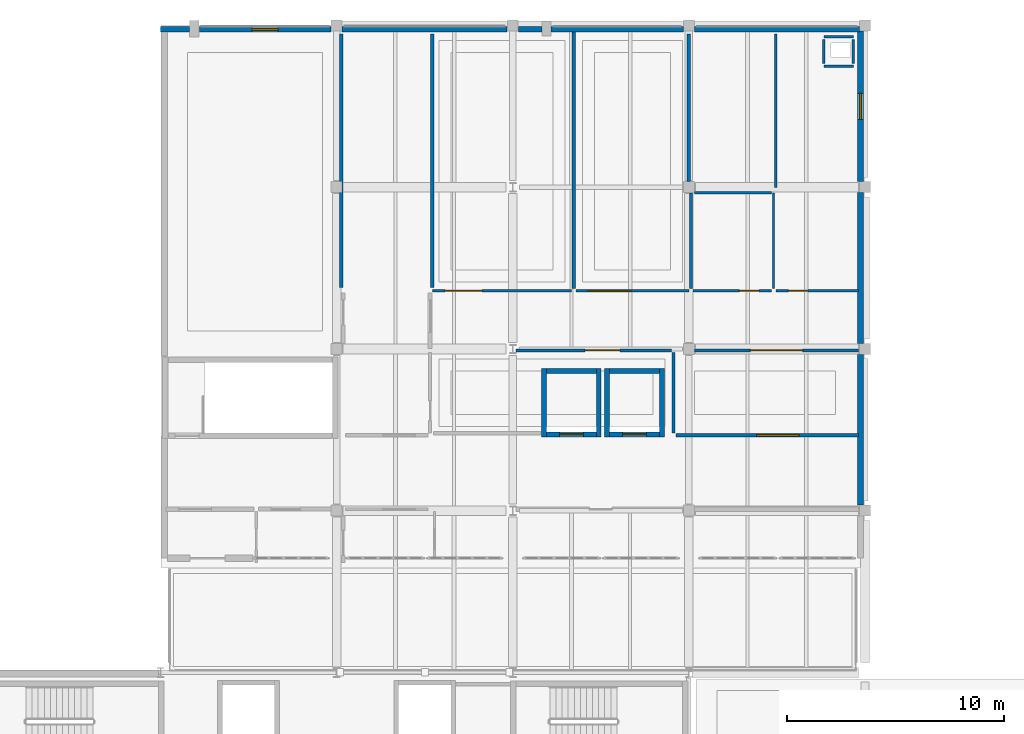
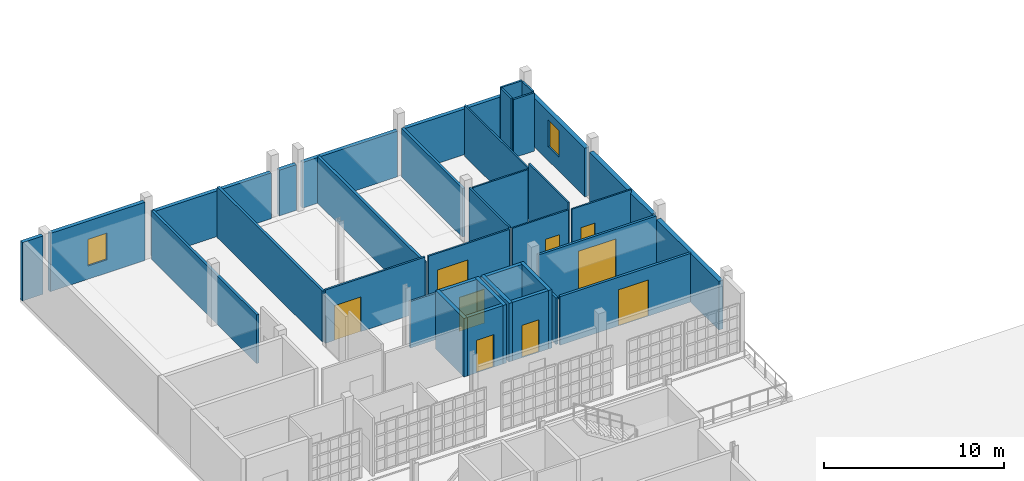
# One storey, part 20 of 25: 37 walls, 9 doors, 2 windows, 11 openings.
"""IFC4 building model written with IfcOpenShell, lengths in metres."""

from ifc_helpers import new_model, si_unit, direction, frame, frame_2d, origin, place, context, subcontext, project, spatial, rectangle, extrude, material, layer, layer_set, type_object, element, fill, save


model = new_model("IFC4")

# Units and contexts
model_context = context("Model", 3, precision=1e-05, world=origin(), true_north=direction((0.0, 1.0)))
body_context = subcontext(model_context, "Body", "Model", "MODEL_VIEW")
ifc_project = project(units=[si_unit("LENGTHUNIT", "METRE"), si_unit("AREAUNIT", "SQUARE_METRE"), si_unit("VOLUMEUNIT", "CUBIC_METRE"), si_unit("PLANEANGLEUNIT", "RADIAN"), si_unit("MASSUNIT", "GRAM", prefix="KILO")], contexts=[model_context])

# Site, building, storey
site_placement = place(None, origin())
site = spatial("IfcSite", under=ifc_project, at=site_placement, CompositionType="ELEMENT")
building_placement = place(site_placement, origin())
building = spatial("IfcBuilding", under=site, at=building_placement, Name="Kaelora Sail Theatre", CompositionType="ELEMENT")
storey_placement = place(building_placement, frame((0.0, 0.0, 19.199951171875)))
storey = spatial("IfcBuildingStorey", under=building, at=storey_placement, Name="L04", CompositionType="ELEMENT", Elevation=19.199951171875)

# Wall, opening, window
ifc_material_1 = material(Name="Precast concrete C45/55", Category="concrete")
ifc_layer_1 = layer(ifc_material_1, 0.239990234375)
ifc_layer_set_1 = layer_set([ifc_layer_1], Name="Precast concrete C45/55")
wall_type_1 = type_object("IfcWallType", Name="ARC-WL-EW-240", PredefinedType="SOLIDWALL", material=ifc_layer_set_1)
wall_1_placement = place(storey_placement, frame((35.679931640625, 112.919921875, 0.0), z_axis=(0.0, 0.0, 1.0), x_axis=(1.0, 0.0, 0.0)))
wall_1 = element("IfcWall", 1, at=wall_1_placement, inside=storey, type_object=wall_type_1, Name="North Conservatory/Production Facade Wall L04 B05", PredefinedType="SOLIDWALL", context=body_context, shape_type="SweptSolid", body=[
    extrude(rectangle(XDim=6.065185546875, YDim=0.239990234375, at=frame_2d((3.03271484375, 0.0))), origin(), (0.0, 0.0, 1.0), 3.945068359375),
])
opening_1_placement = place(wall_1_placement, frame((2.431884765625, 0.0, 0.89990234375)))
opening_1 = element("IfcOpeningElement", 2, at=opening_1_placement, cuts=wall_1, Name="Opening W-05", PredefinedType="OPENING", context=body_context, shape_type="SweptSolid", body=[
    extrude(rectangle(XDim=1.199951171875, YDim=1.800048828125, at=frame_2d((0.60009765625, 0.89990234375))), frame((0.0, 0.130117, 0.0), z_axis=(0.0, -1.0, 0.0), x_axis=(1.0, 0.0, 0.0)), (0.0, 0.0, 1.0), 0.25999),
])
ifc_material_2 = material(Name="Thermally broken aluminium and low-E double glazing", Category="aluminium")
window_type = type_object("IfcWindowType", Name="ARC-WIN-W-05", PartitioningType="SINGLE_PANEL", PredefinedType="WINDOW", material=ifc_material_2)
window_1_placement = place(opening_1_placement, origin())
window_1 = element("IfcWindow", 3, at=window_1_placement, inside=storey, type_object=window_type, Name="North facade window L04 B05", OverallHeight=1.800048828125, OverallWidth=1.199951171875, PartitioningType="SINGLE_PANEL", PredefinedType="WINDOW", context=body_context, shape_type="SweptSolid", body=[
    extrude(rectangle(XDim=1.199951171875, YDim=1.800048828125, at=frame_2d((0.60009765625, 0.89990234375))), frame((0.0, 0.030029296875, 0.0), z_axis=(0.0, -1.0, 0.0), x_axis=(1.0, 0.0, 0.0)), (0.0, 0.0, 1.0), 0.06005859375),
])
fill(opening_1, window_1)

# Walls
wall_2_placement = place(storey_placement, frame((33.89990234375, 112.919921875, 0.0), z_axis=(0.0, 0.0, 1.0), x_axis=(1.0, 0.0, 0.0)))
element("IfcWall", 4, at=wall_2_placement, inside=storey, type_object=wall_type_1, Name="North Facade Pilaster Spandrel Pier L04 B05", PredefinedType="SOLIDWALL", context=body_context, shape_type="SweptSolid", body=[
    extrude(rectangle(XDim=1.320068359375, YDim=0.239990234375, at=frame_2d((0.66015625, 0.0))), origin(), (0.0, 0.0, 1.0), 3.945068359375),
])
wall_3_placement = place(storey_placement, frame((42.2548828125, 112.919921875, 0.0), z_axis=(0.0, 0.0, 1.0), x_axis=(1.0, 0.0, 0.0)))
element("IfcWall", 5, at=wall_3_placement, inside=storey, type_object=wall_type_1, Name="North Conservatory/Production Facade Wall L04 B06", PredefinedType="SOLIDWALL", context=body_context, shape_type="SweptSolid", body=[
    extrude(rectangle(XDim=7.590087890625, YDim=0.239990234375, at=frame_2d((3.794921875, 0.0))), origin(), (0.0, 0.0, 1.0), 3.09716796875),
])
wall_4_placement = place(storey_placement, frame((51.85498046875, 112.919921875, 0.0), z_axis=(0.0, 0.0, 1.0), x_axis=(1.0, 0.0, 0.0)))
element("IfcWall", 6, at=wall_4_placement, inside=storey, type_object=wall_type_1, Name="North Conservatory/Production Facade Wall L04 B07", PredefinedType="SOLIDWALL", context=body_context, shape_type="SweptSolid", body=[
    extrude(rectangle(XDim=6.090087890625, YDim=0.239990234375, at=frame_2d((3.044921875, 0.0))), origin(), (0.0, 0.0, 1.0), 3.09716796875),
])
wall_5_placement = place(storey_placement, frame((50.35498046875, 112.919921875, 0.0), z_axis=(0.0, 0.0, 1.0), x_axis=(1.0, 0.0, 0.0)))
element("IfcWall", 7, at=wall_5_placement, inside=storey, type_object=wall_type_1, Name="North Facade Pilaster Spandrel Pier L04 B07", PredefinedType="SOLIDWALL", context=body_context, shape_type="SweptSolid", body=[
    extrude(rectangle(XDim=1.090087890625, YDim=0.239990234375, at=frame_2d((0.544921875, 0.0))), origin(), (0.0, 0.0, 1.0), 3.09716796875),
])
wall_6_placement = place(storey_placement, frame((58.455078125, 112.919921875, 0.0), z_axis=(0.0, 0.0, 1.0), x_axis=(1.0, 0.0, 0.0)))
element("IfcWall", 8, at=wall_6_placement, inside=storey, type_object=wall_type_1, Name="North Conservatory/Production Facade Wall L04 B08", PredefinedType="SOLIDWALL", context=body_context, shape_type="SweptSolid", body=[
    extrude(rectangle(XDim=7.58984375, YDim=0.239990234375, at=frame_2d((3.794921875, 0.0))), origin(), (0.0, 0.0, 1.0), 3.09716796875),
])
ifc_material_3 = material(Name="Precast concrete C45/55", Category="concrete")
ifc_layer_2 = layer(ifc_material_3, 0.280029296875)
ifc_layer_set_2 = layer_set([ifc_layer_2], Name="Precast concrete C45/55")
wall_type_2 = type_object("IfcWallType", Name="ARC-WL-EW-280", PredefinedType="SOLIDWALL", material=ifc_layer_set_2)
wall_7_placement = place(storey_placement, frame((66.090087890625, 91.034912109375, 0.0), z_axis=(0.0, 0.0, 1.0), x_axis=(0.0, 1.0, 0.0)))
element("IfcWall", 9, at=wall_7_placement, inside=storey, type_object=wall_type_2, Name="Stepped Wing Facade Wall STEP-NW2-E-L04-S2", PredefinedType="SOLIDWALL", context=body_context, shape_type="SweptSolid", body=[
    extrude(rectangle(XDim=6.93017578125, YDim=0.280029296875, at=frame_2d((3.465087890625, 0.0))), origin(), (0.0, 0.0, 1.0), 3.297119140625),
])
wall_8_placement = place(storey_placement, frame((66.090087890625, 98.47509765625, 0.0), z_axis=(0.0, 0.0, 1.0), x_axis=(0.0, 1.0, 0.0)))
element("IfcWall", 10, at=wall_8_placement, inside=storey, type_object=wall_type_2, Name="Stepped Wing Facade Wall STEP-NW2-E-L04-S3", PredefinedType="SOLIDWALL", context=body_context, shape_type="SweptSolid", body=[
    extrude(rectangle(XDim=6.929931640625, YDim=0.280029296875, at=frame_2d((3.46484375, 0.0))), origin(), (0.0, 0.0, 1.0), 3.34716796875),
])

# Wall, opening, window
wall_9_placement = place(storey_placement, frame((66.090087890625, 105.9150390625, 0.0), z_axis=(0.0, 0.0, 1.0), x_axis=(0.0, 1.0, 0.0)))
wall_9 = element("IfcWall", 11, at=wall_9_placement, inside=storey, type_object=wall_type_2, Name="Stepped Wing Facade Wall STEP-NW2-E-L04-S4", PredefinedType="SOLIDWALL", context=body_context, shape_type="SweptSolid", body=[
    extrude(rectangle(XDim=6.929931640625, YDim=0.280029296875, at=frame_2d((3.46484375, 0.0))), origin(), (0.0, 0.0, 1.0), 3.297119140625),
])
opening_2_placement = place(wall_9_placement, frame((2.864990234375, 0.0, 0.949951171875)))
opening_2 = element("IfcOpeningElement", 12, at=opening_2_placement, cuts=wall_9, Name="Opening W-05", PredefinedType="OPENING", context=body_context, shape_type="SweptSolid", body=[
    extrude(rectangle(XDim=1.199951171875, YDim=1.800048828125, at=frame_2d((0.60009765625, 0.89990234375))), frame((0.0, 0.150137, 0.0), z_axis=(0.0, -1.0, 0.0), x_axis=(1.0, 0.0, 0.0)), (0.0, 0.0, 1.0), 0.300029),
])
window_2_placement = place(opening_2_placement, origin())
window_2 = element("IfcWindow", 13, at=window_2_placement, inside=storey, type_object=window_type, Name="Stepped Wing Window STEP-NW2-E-L04-S4", OverallHeight=1.800048828125, OverallWidth=1.199951171875, PartitioningType="SINGLE_PANEL", PredefinedType="WINDOW", context=body_context, shape_type="SweptSolid", body=[
    extrude(rectangle(XDim=1.199951171875, YDim=1.800048828125, at=frame_2d((0.60009765625, 0.89990234375))), frame((0.0, 0.030029296875, 0.0), z_axis=(0.0, -1.0, 0.0), x_axis=(1.0, 0.0, 0.0)), (0.0, 0.0, 1.0), 0.06005859375),
])
fill(opening_2, window_2)

# Wall, opening, door
ifc_material_4 = material(Name="Demountable acoustic studio wall 150 mm", Category="timber")
ifc_layer_3 = layer(ifc_material_4, 0.14990234375)
ifc_layer_set_3 = layer_set([ifc_layer_3], Name="Demountable acoustic studio wall 150 mm")
wall_type_3 = type_object("IfcWallType", Name="ARC-WL-MV-150", PredefinedType="MOVABLE", material=ifc_layer_set_3)
wall_10_placement = place(storey_placement, frame((58.455078125, 98.14990234375, 0.0), z_axis=(0.0, 0.0, 1.0), x_axis=(1.0, 0.0, 0.0)))
wall_10 = element("IfcWall", 14, at=wall_10_placement, inside=storey, type_object=wall_type_3, Name="Interior acoustic partition L04-CAST-OFC/L04-COR-SP2E", PredefinedType="MOVABLE", context=body_context, shape_type="SweptSolid", body=[
    extrude(rectangle(XDim=7.554931640625, YDim=0.14990234375, at=frame_2d((3.77734375, 0.0))), origin(), (0.0, 0.0, 1.0), 3.447021484375),
])
opening_3_placement = place(wall_10_placement, frame((2.577880859375, 0.0, 0.0)))
opening_3 = element("IfcOpeningElement", 15, at=opening_3_placement, cuts=wall_10, Name="Opening ID-05", PredefinedType="OPENING", context=body_context, shape_type="SweptSolid", body=[
    extrude(rectangle(XDim=2.39990234375, YDim=2.800048828125, at=frame_2d((1.199951171875, 1.39990234375))), frame((0.0, 0.084951, 0.0), z_axis=(0.0, -1.0, 0.0), x_axis=(1.0, 0.0, 0.0)), (0.0, 0.0, 1.0), 0.169902),
])
ifc_material_5 = material(Name="Scenery workshop oversize acoustic double door", Category="steel")
door_type_1 = type_object("IfcDoorType", Name="ARC-DR-ID-05", OperationType="NOTDEFINED", PredefinedType="DOOR", material=ifc_material_5)
door_1_placement = place(opening_3_placement, origin())
door_1 = element("IfcDoor", 16, at=door_1_placement, inside=storey, type_object=door_type_1, Name="Interior door L04-CAST-OFC to L04-COR-SP2E", OperationType="DOUBLE_DOOR_SINGLE_SWING", OverallHeight=2.800048828125, OverallWidth=2.39990234375, PredefinedType="DOOR", context=body_context, shape_type="SweptSolid", body=[
    extrude(rectangle(XDim=2.39990234375, YDim=2.800048828125, at=frame_2d((1.199951171875, 1.39990234375))), frame((0.0, 0.02490234375, 0.0), z_axis=(0.0, -1.0, 0.0), x_axis=(1.0, 0.0, 0.0)), (0.0, 0.0, 1.0), 0.050048828125),
])
fill(opening_3, door_1)

ifc_material_6 = material(Name="Sanitary moisture-resistant partition 100 mm", Category="gypsum")
ifc_layer_4 = layer(ifc_material_6, 0.10009765625)
ifc_layer_set_4 = layer_set([ifc_layer_4], Name="Sanitary moisture-resistant partition 100 mm")
wall_type_4 = type_object("IfcWallType", Name="ARC-WL-PT-100", PredefinedType="PARTITIONING", material=ifc_layer_set_4)
wall_11_placement = place(storey_placement, frame((58.39990234375, 100.89990234375, 0.0), z_axis=(0.0, 0.0, 1.0), x_axis=(1.0, 0.0, 0.0)))
wall_11 = element("IfcWall", 17, at=wall_11_placement, inside=storey, type_object=wall_type_4, Name="Interior acoustic partition L04-COR-SP2E/L04-WC-ACC", PredefinedType="PARTITIONING", context=body_context, shape_type="SweptSolid", body=[
    extrude(rectangle(XDim=3.60009765625, YDim=0.10009765625, at=frame_2d((1.800048828125, 0.0))), origin(), (0.0, 0.0, 1.0), 3.587158203125),
])
opening_4_placement = place(wall_11_placement, frame((2.1201171875, 0.0, 0.0)))
opening_4 = element("IfcOpeningElement", 18, at=opening_4_placement, cuts=wall_11, Name="Opening ID-03", PredefinedType="OPENING", context=body_context, shape_type="SweptSolid", body=[
    extrude(rectangle(XDim=0.89990234375, YDim=2.10009765625, at=frame_2d((0.449951171875, 1.050048828125))), frame((0.0, 0.060049, 0.0), z_axis=(0.0, -1.0, 0.0), x_axis=(1.0, 0.0, 0.0)), (0.0, 0.0, 1.0), 0.120098),
])
ifc_material_7 = material(Name="Accessible sanitary laminate door", Category="timber")
door_type_2 = type_object("IfcDoorType", Name="ARC-DR-ID-03", OperationType="NOTDEFINED", PredefinedType="DOOR", material=ifc_material_7)
door_2_placement = place(opening_4_placement, origin())
door_2 = element("IfcDoor", 19, at=door_2_placement, inside=storey, type_object=door_type_2, Name="Interior door L04-COR-SP2E to L04-WC-ACC", OperationType="SINGLE_SWING_RIGHT", OverallHeight=2.10009765625, OverallWidth=0.89990234375, PredefinedType="DOOR", context=body_context, shape_type="SweptSolid", body=[
    extrude(rectangle(XDim=0.89990234375, YDim=2.10009765625, at=frame_2d((0.449951171875, 1.050048828125))), frame((0.0, 0.02490234375, 0.0), z_axis=(0.0, -1.0, 0.0), x_axis=(1.0, 0.0, 0.0)), (0.0, 0.0, 1.0), 0.050048828125),
])
fill(opening_4, door_2)

wall_12_placement = place(storey_placement, frame((62.199951171875, 100.89990234375, 0.0), z_axis=(0.0, 0.0, 1.0), x_axis=(1.0, 0.0, 0.0)))
wall_12 = element("IfcWall", 20, at=wall_12_placement, inside=storey, type_object=wall_type_4, Name="Interior acoustic partition L04-COR-SP2E/L04-WC-ADM", PredefinedType="PARTITIONING", context=body_context, shape_type="SweptSolid", body=[
    extrude(rectangle(XDim=3.81005859375, YDim=0.10009765625, at=frame_2d((1.905029296875, 0.0))), origin(), (0.0, 0.0, 1.0), 3.547119140625),
])
opening_5_placement = place(wall_12_placement, frame((0.580078125, 0.0, 0.0)))
opening_5 = element("IfcOpeningElement", 21, at=opening_5_placement, cuts=wall_12, Name="Opening ID-03", PredefinedType="OPENING", context=body_context, shape_type="SweptSolid", body=[
    extrude(rectangle(XDim=0.89990234375, YDim=2.10009765625, at=frame_2d((0.449951171875, 1.050048828125))), frame((0.0, 0.060049, 0.0), z_axis=(0.0, -1.0, 0.0), x_axis=(1.0, 0.0, 0.0)), (0.0, 0.0, 1.0), 0.120098),
])
door_3_placement = place(opening_5_placement, origin())
door_3 = element("IfcDoor", 22, at=door_3_placement, inside=storey, type_object=door_type_2, Name="Interior door L04-COR-SP2E to L04-WC-ADM", OperationType="SINGLE_SWING_RIGHT", OverallHeight=2.10009765625, OverallWidth=0.89990234375, PredefinedType="DOOR", context=body_context, shape_type="SweptSolid", body=[
    extrude(rectangle(XDim=0.89990234375, YDim=2.10009765625, at=frame_2d((0.449951171875, 1.050048828125))), frame((0.0, 0.02490234375, 0.0), z_axis=(0.0, -1.0, 0.0), x_axis=(1.0, 0.0, 0.0)), (0.0, 0.0, 1.0), 0.050048828125),
])
fill(opening_5, door_3)

# Walls
wall_13_placement = place(storey_placement, frame((62.10009765625, 101.0, 0.0), z_axis=(0.0, 0.0, 1.0), x_axis=(0.0, 1.0, 0.0)))
element("IfcWall", 23, at=wall_13_placement, inside=storey, type_object=wall_type_4, Name="Interior acoustic partition L04-WC-ACC/L04-WC-ADM", PredefinedType="PARTITIONING", context=body_context, shape_type="SweptSolid", body=[
    extrude(rectangle(XDim=4.39990234375, YDim=0.10009765625, at=frame_2d((2.199951171875, 0.0))), origin(), (0.0, 0.0, 1.0), 3.945068359375),
])
wall_14_placement = place(storey_placement, frame((58.469970703125, 105.39990234375, 0.0), z_axis=(0.0, 0.0, 1.0), x_axis=(1.0, 0.0, 0.0)))
element("IfcWall", 24, at=wall_14_placement, inside=storey, type_object=wall_type_4, Name="Room enclosure wall L04-WC-ACC-N1", PredefinedType="PARTITIONING", context=body_context, shape_type="SweptSolid", body=[
    extrude(rectangle(XDim=3.530029296875, YDim=0.10009765625, at=frame_2d((1.76513671875, 0.0))), origin(), (0.0, 0.0, 1.0), 3.587158203125),
])
wall_15_placement = place(storey_placement, frame((62.199951171875, 105.64990234375, 0.0), z_axis=(0.0, 0.0, 1.0), x_axis=(0.0, 1.0, 0.0)))
element("IfcWall", 25, at=wall_15_placement, inside=storey, type_object=wall_type_4, Name="Room enclosure wall L04-WC-ADM-W1", PredefinedType="PARTITIONING", context=body_context, shape_type="SweptSolid", body=[
    extrude(rectangle(XDim=7.050048828125, YDim=0.10009765625, at=frame_2d((3.52490234375, 0.0))), origin(), (0.0, 0.0, 1.0), 3.447021484375),
])

# Wall, opening, door
ifc_material_8 = material(Name="Office acoustic stud partition 110 mm", Category="gypsum")
ifc_layer_5 = layer(ifc_material_8, 0.110107421875)
ifc_layer_set_5 = layer_set([ifc_layer_5], Name="Office acoustic stud partition 110 mm")
wall_type_5 = type_object("IfcWallType", Name="ARC-WL-PT-110", PredefinedType="PARTITIONING", material=ifc_layer_set_5)
wall_16_placement = place(storey_placement, frame((53.0, 100.89990234375, 0.0), z_axis=(0.0, 0.0, 1.0), x_axis=(1.0, 0.0, 0.0)))
wall_16 = element("IfcWall", 26, at=wall_16_placement, inside=storey, type_object=wall_type_5, Name="Interior acoustic partition L04-COR-SP2E/L04-BOARD", PredefinedType="PARTITIONING", context=body_context, shape_type="SweptSolid", body=[
    extrude(rectangle(XDim=5.199951171875, YDim=0.110107421875, at=frame_2d((2.60009765625, 0.0))), origin(), (0.0, 0.0, 1.0), 3.587158203125),
])
opening_6_placement = place(wall_16_placement, frame((0.580078125, 0.0, 0.0)))
opening_6 = element("IfcOpeningElement", 27, at=opening_6_placement, cuts=wall_16, Name="Opening ID-10", PredefinedType="OPENING", context=body_context, shape_type="SweptSolid", body=[
    extrude(rectangle(XDim=1.949951171875, YDim=2.449951171875, at=frame_2d((0.97509765625, 1.22509765625))), frame((0.0, 0.065176, 0.0), z_axis=(0.0, -1.0, 0.0), x_axis=(1.0, 0.0, 0.0)), (0.0, 0.0, 1.0), 0.130107),
])
ifc_material_9 = material(Name="Foyer hospitality glazed double door", Category="steel")
door_type_3 = type_object("IfcDoorType", Name="ARC-DR-ID-10", OperationType="NOTDEFINED", PredefinedType="DOOR", material=ifc_material_9)
door_4_placement = place(opening_6_placement, origin())
door_4 = element("IfcDoor", 28, at=door_4_placement, inside=storey, type_object=door_type_3, Name="Interior door L04-COR-SP2E to L04-BOARD", OperationType="DOUBLE_DOOR_SINGLE_SWING", OverallHeight=2.449951171875, OverallWidth=1.949951171875, PredefinedType="DOOR", context=body_context, shape_type="SweptSolid", body=[
    extrude(rectangle(XDim=1.949951171875, YDim=2.449951171875, at=frame_2d((0.97509765625, 1.22509765625))), frame((0.0, 0.02490234375, 0.0), z_axis=(0.0, -1.0, 0.0), x_axis=(1.0, 0.0, 0.0)), (0.0, 0.0, 1.0), 0.050048828125),
])
fill(opening_6, door_4)

# Walls
ifc_material_10 = material(Name="Standard metal-stud partition 120 mm", Category="gypsum")
ifc_layer_6 = layer(ifc_material_10, 0.1201171875)
ifc_layer_set_6 = layer_set([ifc_layer_6], Name="Standard metal-stud partition 120 mm")
wall_type_6 = type_object("IfcWallType", Name="ARC-WL-PT-120", PredefinedType="PARTITIONING", material=ifc_layer_set_6)
for number, where, z_axis, x_axis, name in (
    (29, (64.405029296875, 111.219970703125, 0.0), (0.0, 0.0, 1.0), (1.0, 0.0, 0.0), "MEP riser shaft wall NW2-L04-S"),
    (30, (64.405029296875, 112.580078125, 0.0), (0.0, 0.0, 1.0), (1.0, 0.0, 0.0), "MEP riser shaft wall NW2-L04-N"),
):
    element("IfcWall", number, at=place(storey_placement, frame(where, z_axis=z_axis, x_axis=x_axis)), inside=storey, type_object=wall_type_6, Name=name, PredefinedType="PARTITIONING", context=body_context, shape_type="SweptSolid", body=[
        extrude(rectangle(XDim=1.35986328125, YDim=0.1201171875, at=frame_2d((0.679931640625, 0.0))), origin(), (0.0, 0.0, 1.0), 3.945068359375),
    ])
for number, where, z_axis, x_axis, name in (
    (31, (64.405029296875, 111.340087890625, 0.0), (0.0, 0.0, 1.0), (0.0, 1.0, 0.0), "MEP riser shaft wall NW2-L04-W"),
    (32, (65.764892578125, 111.340087890625, 0.0), (0.0, 0.0, 1.0), (0.0, 1.0, 0.0), "MEP riser shaft wall NW2-L04-E"),
):
    element("IfcWall", number, at=place(storey_placement, frame(where, z_axis=z_axis, x_axis=x_axis)), inside=storey, type_object=wall_type_6, Name=name, PredefinedType="PARTITIONING", context=body_context, shape_type="SweptSolid", body=[
        extrude(rectangle(XDim=1.119873046875, YDim=0.1201171875, at=frame_2d((0.56005859375, 0.0))), origin(), (0.0, 0.0, 1.0), 3.945068359375),
    ])

# Wall, opening, door
wall_17_placement = place(storey_placement, frame((50.2548828125, 98.14990234375, 0.0), z_axis=(0.0, 0.0, 1.0), x_axis=(1.0, 0.0, 0.0)))
wall_17 = element("IfcWall", 33, at=wall_17_placement, inside=storey, type_object=wall_type_6, Name="Interior acoustic partition L04-PRESS-STU/L04-COR-SP2E", PredefinedType="PARTITIONING", context=body_context, shape_type="SweptSolid", body=[
    extrude(rectangle(XDim=7.14501953125, YDim=0.1201171875, at=frame_2d((3.572509765625, 0.0))), origin(), (0.0, 0.0, 1.0), 3.14697265625),
])
opening_7_placement = place(wall_17_placement, frame((3.1708984375, 0.0, 0.0)))
opening_7 = element("IfcOpeningElement", 34, at=opening_7_placement, cuts=wall_17, Name="Opening ID-04", PredefinedType="OPENING", context=body_context, shape_type="SweptSolid", body=[
    extrude(rectangle(XDim=1.60009765625, YDim=2.300048828125, at=frame_2d((0.800048828125, 1.14990234375))), frame((0.0, 0.070059, 0.0), z_axis=(0.0, -1.0, 0.0), x_axis=(1.0, 0.0, 0.0)), (0.0, 0.0, 1.0), 0.140117),
])
ifc_material_11 = material(Name="Rehearsal hall acoustic timber double door", Category="wood")
door_type_4 = type_object("IfcDoorType", Name="ARC-DR-ID-04", OperationType="NOTDEFINED", PredefinedType="DOOR", material=ifc_material_11)
door_5_placement = place(opening_7_placement, origin())
door_5 = element("IfcDoor", 35, at=door_5_placement, inside=storey, type_object=door_type_4, Name="Interior door L04-PRESS-STU to L04-COR-SP2E", OperationType="DOUBLE_DOOR_SINGLE_SWING", OverallHeight=2.300048828125, OverallWidth=1.60009765625, PredefinedType="DOOR", context=body_context, shape_type="SweptSolid", body=[
    extrude(rectangle(XDim=1.60009765625, YDim=2.300048828125, at=frame_2d((0.800048828125, 1.14990234375))), frame((0.0, 0.02490234375, 0.0), z_axis=(0.0, -1.0, 0.0), x_axis=(1.0, 0.0, 0.0)), (0.0, 0.0, 1.0), 0.050048828125),
])
fill(opening_7, door_5)

wall_18_placement = place(storey_placement, frame((46.39990234375, 100.89990234375, 0.0), z_axis=(0.0, 0.0, 1.0), x_axis=(1.0, 0.0, 0.0)))
wall_18 = element("IfcWall", 36, at=wall_18_placement, inside=storey, type_object=wall_type_6, Name="Interior acoustic partition L04-COR-SP2E/L04-PROD-OFC", PredefinedType="PARTITIONING", context=body_context, shape_type="SweptSolid", body=[
    extrude(rectangle(XDim=6.400146484375, YDim=0.1201171875, at=frame_2d((3.2001953125, 0.0))), origin(), (0.0, 0.0, 1.0), 3.616943359375),
])
opening_8_placement = place(wall_18_placement, frame((0.580078125, 0.0, 0.0)))
opening_8 = element("IfcOpeningElement", 37, at=opening_8_placement, cuts=wall_18, Name="Opening ID-09", PredefinedType="OPENING", context=body_context, shape_type="SweptSolid", body=[
    extrude(rectangle(XDim=1.699951171875, YDim=2.35009765625, at=frame_2d((0.85009765625, 1.175048828125))), frame((0.0, 0.070059, 0.0), z_axis=(0.0, -1.0, 0.0), x_axis=(1.0, 0.0, 0.0)), (0.0, 0.0, 1.0), 0.140117),
])
ifc_material_12 = material(Name="Ballet studio acoustic double door", Category="steel")
door_type_5 = type_object("IfcDoorType", Name="ARC-DR-ID-09", OperationType="NOTDEFINED", PredefinedType="DOOR", material=ifc_material_12)
door_6_placement = place(opening_8_placement, origin())
door_6 = element("IfcDoor", 38, at=door_6_placement, inside=storey, type_object=door_type_5, Name="Interior door L04-COR-SP2E to L04-PROD-OFC", OperationType="DOUBLE_DOOR_SINGLE_SWING", OverallHeight=2.35009765625, OverallWidth=1.699951171875, PredefinedType="DOOR", context=body_context, shape_type="SweptSolid", body=[
    extrude(rectangle(XDim=1.699951171875, YDim=2.35009765625, at=frame_2d((0.85009765625, 1.175048828125))), frame((0.0, 0.02490234375, 0.0), z_axis=(0.0, -1.0, 0.0), x_axis=(1.0, 0.0, 0.0)), (0.0, 0.0, 1.0), 0.050048828125),
])
fill(opening_8, door_6)

# Walls
wall_19_placement = place(storey_placement, frame((58.300048828125, 101.0, 0.0), z_axis=(0.0, 0.0, 1.0), x_axis=(0.0, 1.0, 0.0)))
element("IfcWall", 39, at=wall_19_placement, inside=storey, type_object=wall_type_6, Name="Interior acoustic partition L04-BOARD/L04-WC-ACC", PredefinedType="PARTITIONING", context=body_context, shape_type="SweptSolid", body=[
    extrude(rectangle(XDim=4.39990234375, YDim=0.1201171875, at=frame_2d((2.199951171875, 0.0))), origin(), (0.0, 0.0, 1.0), 3.636962890625),
])
ifc_material_13 = material(Name="Fire-rated stud partition 140 mm", Category="gypsum")
ifc_layer_7 = layer(ifc_material_13, 0.139892578125)
ifc_layer_set_7 = layer_set([ifc_layer_7], Name="Fire-rated stud partition 140 mm")
wall_type_7 = type_object("IfcWallType", Name="ARC-WL-PT-140", PredefinedType="PARTITIONING", material=ifc_layer_set_7)
wall_20_placement = place(storey_placement, frame((57.5, 94.35009765625, 0.0), z_axis=(0.0, 0.0, 1.0), x_axis=(0.0, 1.0, 0.0)))
element("IfcWall", 40, at=wall_20_placement, inside=storey, type_object=wall_type_7, Name="Interior acoustic partition L04-PRESS-STU/L04-CAST-OFC", PredefinedType="PARTITIONING", context=body_context, shape_type="SweptSolid", body=[
    extrude(rectangle(XDim=3.699951171875, YDim=0.139892578125, at=frame_2d((1.85009765625, 0.0))), origin(), (0.0, 0.0, 1.0), 3.14697265625),
])

# Wall, opening, door
ifc_material_14 = material(Name="Acoustic metal-stud plasterboard 160 mm", Category="gypsum")
ifc_layer_8 = layer(ifc_material_14, 0.159912109375)
ifc_layer_set_8 = layer_set([ifc_layer_8], Name="Acoustic metal-stud plasterboard 160 mm")
wall_type_8 = type_object("IfcWallType", Name="ARC-WL-PT-160", PredefinedType="PARTITIONING", material=ifc_layer_set_8)
wall_21_placement = place(storey_placement, frame((57.60009765625, 94.25, 0.0), z_axis=(0.0, 0.0, 1.0), x_axis=(1.0, 0.0, 0.0)))
wall_21 = element("IfcWall", 41, at=wall_21_placement, inside=storey, type_object=wall_type_8, Name="Interior acoustic partition L04-COR-ADMIN/L04-CAST-OFC", PredefinedType="PARTITIONING", context=body_context, shape_type="SweptSolid", body=[
    extrude(rectangle(XDim=8.409912109375, YDim=0.159912109375, at=frame_2d((4.205078125, 0.0))), origin(), (0.0, 0.0, 1.0), 3.297119140625),
])
opening_9_placement = place(wall_21_placement, frame((3.720947265625, 0.0, 0.0)))
opening_9 = element("IfcOpeningElement", 42, at=opening_9_placement, cuts=wall_21, Name="Opening ID-10", PredefinedType="OPENING", context=body_context, shape_type="SweptSolid", body=[
    extrude(rectangle(XDim=1.949951171875, YDim=2.449951171875, at=frame_2d((0.97509765625, 1.22509765625))), frame((0.0, 0.090078, 0.0), z_axis=(0.0, -1.0, 0.0), x_axis=(1.0, 0.0, 0.0)), (0.0, 0.0, 1.0), 0.179912),
])
door_7_placement = place(opening_9_placement, origin())
door_7 = element("IfcDoor", 43, at=door_7_placement, inside=storey, type_object=door_type_3, Name="Interior door L04-COR-ADMIN to L04-CAST-OFC", OperationType="DOUBLE_DOOR_SINGLE_SWING", OverallHeight=2.449951171875, OverallWidth=1.949951171875, PredefinedType="DOOR", context=body_context, shape_type="SweptSolid", body=[
    extrude(rectangle(XDim=1.949951171875, YDim=2.449951171875, at=frame_2d((0.97509765625, 1.22509765625))), frame((0.0, 0.02490234375, 0.0), z_axis=(0.0, -1.0, 0.0), x_axis=(1.0, 0.0, 0.0)), (0.0, 0.0, 1.0), 0.050048828125),
])
fill(opening_9, door_7)

# Walls
wall_22_placement = place(storey_placement, frame((42.199951171875, 101.050048828125, 0.0), z_axis=(0.0, 0.0, 1.0), x_axis=(0.0, 1.0, 0.0)))
element("IfcWall", 44, at=wall_22_placement, inside=storey, type_object=wall_type_8, Name="Room enclosure wall L04-ART-DIR-E1", PredefinedType="PARTITIONING", context=body_context, shape_type="SweptSolid", body=[
    extrude(rectangle(XDim=11.64990234375, YDim=0.159912109375, at=frame_2d((5.824951171875, 0.0))), origin(), (0.0, 0.0, 1.0), 3.297119140625),
])
wall_23_placement = place(storey_placement, frame((46.39990234375, 101.050048828125, 0.0), z_axis=(0.0, 0.0, 1.0), x_axis=(0.0, 1.0, 0.0)))
element("IfcWall", 45, at=wall_23_placement, inside=storey, type_object=wall_type_8, Name="Room enclosure wall L04-PROD-OFC-W1", PredefinedType="PARTITIONING", context=body_context, shape_type="SweptSolid", body=[
    extrude(rectangle(XDim=11.64990234375, YDim=0.159912109375, at=frame_2d((5.824951171875, 0.0))), origin(), (0.0, 0.0, 1.0), 3.447021484375),
])
wall_24_placement = place(storey_placement, frame((58.199951171875, 105.929931640625, 0.0), z_axis=(0.0, 0.0, 1.0), x_axis=(0.0, 1.0, 0.0)))
element("IfcWall", 46, at=wall_24_placement, inside=storey, type_object=wall_type_8, Name="Room enclosure wall L04-BOARD-E1", PredefinedType="PARTITIONING", context=body_context, shape_type="SweptSolid", body=[
    extrude(rectangle(XDim=6.77001953125, YDim=0.159912109375, at=frame_2d((3.385009765625, 0.0))), origin(), (0.0, 0.0, 1.0), 3.297119140625),
])
ifc_material_15 = material(Name="Workshop acoustic stud partition 170 mm", Category="gypsum")
ifc_layer_9 = layer(ifc_material_15, 0.169921875)
ifc_layer_set_9 = layer_set([ifc_layer_9], Name="Workshop acoustic stud partition 170 mm")
wall_type_9 = type_object("IfcWallType", Name="ARC-WL-PT-170", PredefinedType="PARTITIONING", material=ifc_layer_set_9)
wall_25_placement = place(storey_placement, frame((52.89990234375, 101.0, 0.0), z_axis=(0.0, 0.0, 1.0), x_axis=(0.0, 1.0, 0.0)))
element("IfcWall", 47, at=wall_25_placement, inside=storey, type_object=wall_type_9, Name="Interior acoustic partition L04-PROD-OFC/L04-BOARD", PredefinedType="PARTITIONING", context=body_context, shape_type="SweptSolid", body=[
    extrude(rectangle(XDim=11.840087890625, YDim=0.169921875, at=frame_2d((5.919921875, 0.0))), origin(), (0.0, 0.0, 1.0), 3.14697265625),
])

# Wall, opening, door
ifc_material_16 = material(Name="Concrete C40/50", Category="concrete")
ifc_layer_10 = layer(ifc_material_16, 0.219970703125)
ifc_layer_set_10 = layer_set([ifc_layer_10], Name="Concrete C40/50")
wall_type_10 = type_object("IfcWallType", Name="ARC-WL-SW-220", PredefinedType="SOLIDWALL", material=ifc_layer_set_10)
wall_26_placement = place(storey_placement, frame((51.64990234375, 94.2900390625, 0.0), z_axis=(0.0, 0.0, 1.0), x_axis=(1.0, 0.0, 0.0)))
wall_26 = element("IfcWall", 48, at=wall_26_placement, inside=storey, type_object=wall_type_10, Name="Lift PL-03 shaft wall L04-S", PredefinedType="SOLIDWALL", context=body_context, shape_type="SweptSolid", body=[
    extrude(rectangle(XDim=2.300048828125, YDim=0.219970703125, at=frame_2d((1.14990234375, 0.0))), origin(), (0.0, 0.0, 1.0), 3.965087890625),
])
opening_10_placement = place(wall_26_placement, frame((0.60009765625, 0.0, 0.0)))
opening_10 = element("IfcOpeningElement", 49, at=opening_10_placement, cuts=wall_26, Name="Opening LD-PAX", PredefinedType="OPENING", context=body_context, shape_type="SweptSolid", body=[
    extrude(rectangle(XDim=1.10009765625, YDim=2.199951171875, at=frame_2d((0.550048828125, 1.10009765625))), frame((0.0, 0.119863, 0.0), z_axis=(0.0, -1.0, 0.0), x_axis=(1.0, 0.0, 0.0)), (0.0, 0.0, 1.0), 0.239971),
])
ifc_material_17 = material(Name="Brushed bronze passenger lift landing door EI 90", Category="steel")
door_type_6 = type_object("IfcDoorType", Name="ARC-DR-LD-PAX", OperationType="NOTDEFINED", PredefinedType="DOOR", material=ifc_material_17)
door_8_placement = place(opening_10_placement, origin())
door_8 = element("IfcDoor", 50, at=door_8_placement, inside=storey, type_object=door_type_6, Name="Lift PL-03 sliding landing door (L04)", OperationType="SLIDING_TO_LEFT", OverallHeight=2.199951171875, OverallWidth=1.10009765625, PredefinedType="DOOR", context=body_context, shape_type="SweptSolid", body=[
    extrude(rectangle(XDim=1.10009765625, YDim=2.199951171875, at=frame_2d((0.550048828125, 1.10009765625))), frame((0.0, 0.02490234375, 0.0), z_axis=(0.0, -1.0, 0.0), x_axis=(1.0, 0.0, 0.0)), (0.0, 0.0, 1.0), 0.050048828125),
])
fill(opening_10, door_8)

# Walls
wall_27_placement = place(storey_placement, frame((51.64990234375, 97.2099609375, 0.0), z_axis=(0.0, 0.0, 1.0), x_axis=(1.0, 0.0, 0.0)))
element("IfcWall", 51, at=wall_27_placement, inside=storey, type_object=wall_type_10, Name="Lift PL-03 shaft wall L04-N", PredefinedType="SOLIDWALL", context=body_context, shape_type="SweptSolid", body=[
    extrude(rectangle(XDim=2.300048828125, YDim=0.219970703125, at=frame_2d((1.14990234375, 0.0))), origin(), (0.0, 0.0, 1.0), 3.965087890625),
])
for number, where, z_axis, x_axis, name in (
    (52, (51.5400390625, 94.179931640625, 0.0), (0.0, 0.0, 1.0), (0.0, 1.0, 0.0), "Lift PL-03 shaft wall L04-W"),
    (53, (54.06005859375, 94.179931640625, 0.0), (0.0, 0.0, 1.0), (0.0, 1.0, 0.0), "Lift PL-03 shaft wall L04-E"),
):
    element("IfcWall", number, at=place(storey_placement, frame(where, z_axis=z_axis, x_axis=x_axis)), inside=storey, type_object=wall_type_10, Name=name, PredefinedType="SOLIDWALL", context=body_context, shape_type="SweptSolid", body=[
        extrude(rectangle(XDim=3.14013671875, YDim=0.219970703125, at=frame_2d((1.570068359375, 0.0))), origin(), (0.0, 0.0, 1.0), 3.965087890625),
    ])

# Wall, opening, door
wall_28_placement = place(storey_placement, frame((54.550048828125, 94.2900390625, 0.0), z_axis=(0.0, 0.0, 1.0), x_axis=(1.0, 0.0, 0.0)))
wall_28 = element("IfcWall", 54, at=wall_28_placement, inside=storey, type_object=wall_type_10, Name="Lift PL-04 shaft wall L04-S", PredefinedType="SOLIDWALL", context=body_context, shape_type="SweptSolid", body=[
    extrude(rectangle(XDim=2.300048828125, YDim=0.219970703125, at=frame_2d((1.14990234375, 0.0))), origin(), (0.0, 0.0, 1.0), 3.965087890625),
])
opening_11_placement = place(wall_28_placement, frame((0.60009765625, 0.0, 0.0)))
opening_11 = element("IfcOpeningElement", 55, at=opening_11_placement, cuts=wall_28, Name="Opening LD-PAX", PredefinedType="OPENING", context=body_context, shape_type="SweptSolid", body=[
    extrude(rectangle(XDim=1.10009765625, YDim=2.199951171875, at=frame_2d((0.550048828125, 1.10009765625))), frame((0.0, 0.119863, 0.0), z_axis=(0.0, -1.0, 0.0), x_axis=(1.0, 0.0, 0.0)), (0.0, 0.0, 1.0), 0.239971),
])
door_9_placement = place(opening_11_placement, origin())
door_9 = element("IfcDoor", 56, at=door_9_placement, inside=storey, type_object=door_type_6, Name="Lift PL-04 sliding landing door (L04)", OperationType="SLIDING_TO_LEFT", OverallHeight=2.199951171875, OverallWidth=1.10009765625, PredefinedType="DOOR", context=body_context, shape_type="SweptSolid", body=[
    extrude(rectangle(XDim=1.10009765625, YDim=2.199951171875, at=frame_2d((0.550048828125, 1.10009765625))), frame((0.0, 0.02490234375, 0.0), z_axis=(0.0, -1.0, 0.0), x_axis=(1.0, 0.0, 0.0)), (0.0, 0.0, 1.0), 0.050048828125),
])
fill(opening_11, door_9)

# Walls
wall_29_placement = place(storey_placement, frame((54.550048828125, 97.2099609375, 0.0), z_axis=(0.0, 0.0, 1.0), x_axis=(1.0, 0.0, 0.0)))
element("IfcWall", 57, at=wall_29_placement, inside=storey, type_object=wall_type_10, Name="Lift PL-04 shaft wall L04-N", PredefinedType="SOLIDWALL", context=body_context, shape_type="SweptSolid", body=[
    extrude(rectangle(XDim=2.300048828125, YDim=0.219970703125, at=frame_2d((1.14990234375, 0.0))), origin(), (0.0, 0.0, 1.0), 3.965087890625),
])
for number, where, z_axis, x_axis, name in (
    (58, (54.43994140625, 94.179931640625, 0.0), (0.0, 0.0, 1.0), (0.0, 1.0, 0.0), "Lift PL-04 shaft wall L04-W"),
    (59, (56.9599609375, 94.179931640625, 0.0), (0.0, 0.0, 1.0), (0.0, 1.0, 0.0), "Lift PL-04 shaft wall L04-E"),
):
    element("IfcWall", number, at=place(storey_placement, frame(where, z_axis=z_axis, x_axis=x_axis)), inside=storey, type_object=wall_type_10, Name=name, PredefinedType="SOLIDWALL", context=body_context, shape_type="SweptSolid", body=[
        extrude(rectangle(XDim=3.14013671875, YDim=0.219970703125, at=frame_2d((1.570068359375, 0.0))), origin(), (0.0, 0.0, 1.0), 3.965087890625),
    ])

save(model, "model.ifc")
